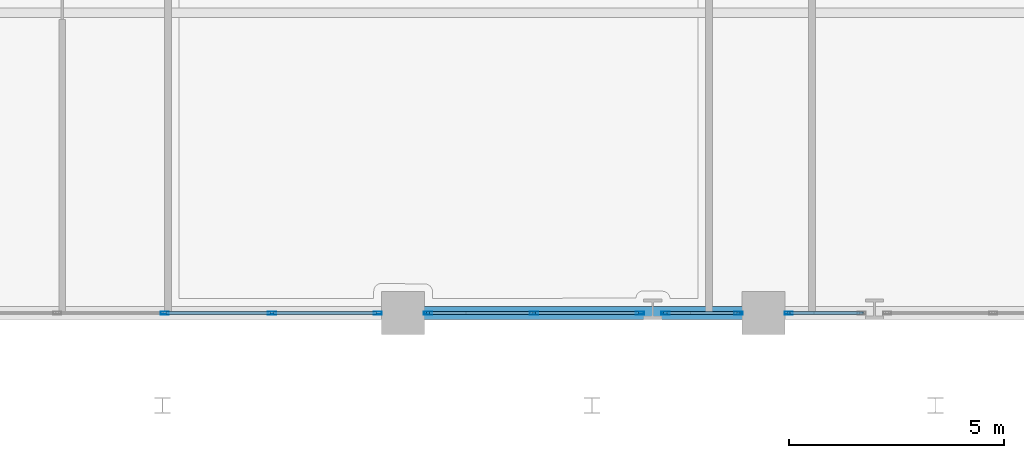
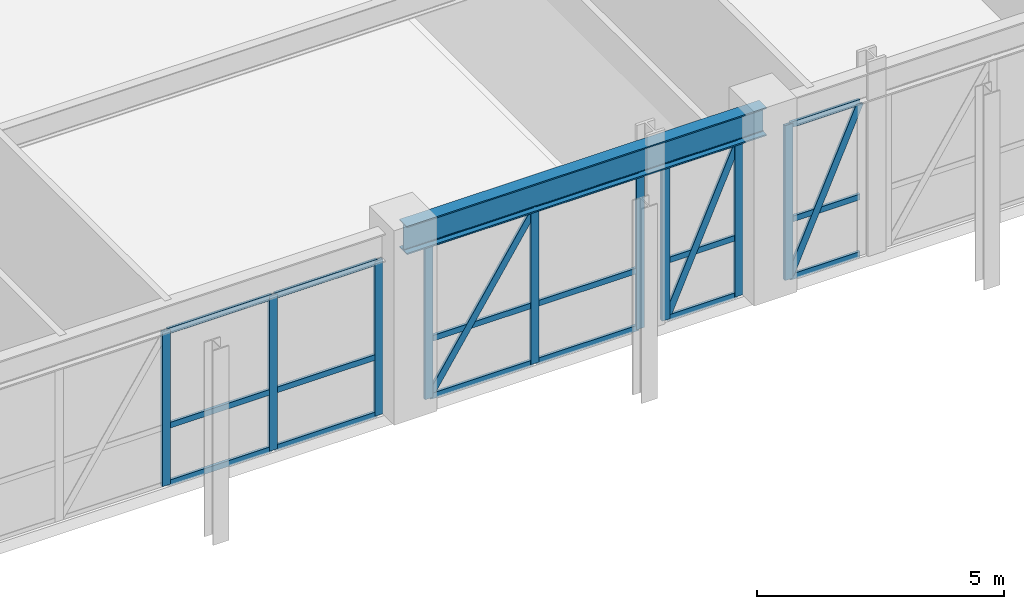
# One storey, part 7 of 48: 30 members, 1 beam, 4 elements without a shape of their own.
"""IFC4 building model written with IfcOpenShell, lengths in metres."""

from ifc_helpers import new_model, si_unit, derived_unit, direction, frame, origin, origin_2d, place, context, subcontext, project, spatial, hollow_rectangle, i_section, extrude, source, transform, mapped, material, layer, layer_set, material_profile, profile_set, type_object, element, aggregate, save


model = new_model("IFC4")

# Units and contexts
model_context = context("Model", 3, precision=1e-05, world=origin(), true_north=direction((0.0, 1.0)))
body_context = subcontext(model_context, "Body", "Model", "MODEL_VIEW")
ifc_project = project(units=[si_unit("LENGTHUNIT", "METRE"), si_unit("AREAUNIT", "SQUARE_METRE"), si_unit("VOLUMEUNIT", "CUBIC_METRE"), si_unit("PLANEANGLEUNIT", "RADIAN"), si_unit("MASSUNIT", "GRAM", prefix="KILO"), derived_unit("THERMALTRANSMITTANCEUNIT", [(si_unit("POWERUNIT", "WATT"), 1), (si_unit("LENGTHUNIT", "METRE"), -2), (si_unit("THERMODYNAMICTEMPERATUREUNIT", "KELVIN"), -1)])], contexts=[model_context])

# Site, building, storey
site_placement = place(None, origin())
site = spatial("IfcSite", under=ifc_project, at=site_placement, CompositionType="ELEMENT")
building_placement = place(site_placement, origin())
building = spatial("IfcBuilding", under=site, at=building_placement, Name="Korsvarv Bourse and Concert Hall", CompositionType="ELEMENT")
storey_placement = place(building_placement, frame((0.0, 0.0, 4.800048828125)))
storey = spatial("IfcBuildingStorey", under=building, at=storey_placement, Name="L01", CompositionType="ELEMENT", Elevation=4.800048828125)

# Beam
ifc_material_1 = material(Name="Steel S355", Category="steel")
ifc_material_profile_1 = material_profile(ifc_material_1, i_section(OverallWidth=0.300048828125, OverallDepth=0.699951171875, WebThickness=0.01708984375, FlangeThickness=0.031982421875, FilletRadius=0.027099609375, at=origin_2d()), Name="HEB 700")
ifc_profile_set_1 = profile_set([ifc_material_profile_1], Name="Steel S355")
beam_type = type_object("IfcBeamType", Name="BM-HEB700", PredefinedType="BEAM", material=ifc_profile_set_1)
shared_shape_1 = source(origin(), body_context, "Body", "SweptSolid", [
    extrude(i_section(OverallWidth=0.300048828125, OverallDepth=0.699951171875, WebThickness=0.01708984375, FlangeThickness=0.031982421875, FilletRadius=0.027099609375, at=origin_2d()), origin(), (0.0, 0.0, 1.0), 8.39990234375),
])
beam_placement = place(storey_placement, frame((27.60009765625, 3.0, 4.169921875), z_axis=(1.0, 0.0, 0.0), x_axis=(0.0, 1.0, 0.0)))
element("IfcBeam", 1, at=beam_placement, inside=storey, type_object=beam_type, Name="L01 beam B-03", PredefinedType="BEAM", context=body_context, shape_type="MappedRepresentation", body=[
    mapped(shared_shape_1, transform((0.0, 0.0, 0.0), scale=1.0)),
])

# Curtain wall, members
ifc_material_2 = material(Name="Anodised aluminium and triple low-E glazing", Category="glass")
ifc_layer = layer(ifc_material_2, 0.239990234375)
ifc_layer_set = layer_set([ifc_layer], Name="Anodised aluminium and triple low-E glazing")
curtain_wall_type = type_object("IfcCurtainWallType", Name="CW-SYS-5", PredefinedType="NOTDEFINED", material=ifc_layer_set)
curtain_wall_1_placement = place(storey_placement, origin())
curtain_wall_1 = element("IfcCurtainWall", 2, at=curtain_wall_1_placement, inside=storey, type_object=curtain_wall_type, Name="L01 CW5 curtain wall CW-L01-S2", PredefinedType="NOTDEFINED")
ifc_material_3 = material(Name="Extruded aluminium EN AW-6063 T66", Category="aluminium")
ifc_material_profile_2 = material_profile(ifc_material_3, hollow_rectangle(XDim=0.070068359375, YDim=0.18994140625, WallThickness=0.0048828125, at=origin_2d()), Name="ALU-M 70x190")
ifc_profile_set_2 = profile_set([ifc_material_profile_2], Name="Extruded aluminium EN AW-6063 T66")
member_type_1 = type_object("IfcMemberType", Name="CWM-190", PredefinedType="MULLION", material=ifc_profile_set_2)
shared_shape_2 = source(origin(), body_context, "Body", "SweptSolid", [
    extrude(hollow_rectangle(XDim=0.070068359375, YDim=0.18994140625, WallThickness=0.0048828125, at=origin_2d()), origin(), (0.0, 0.0, 1.0), 3.820068359375),
])
member_1_placement = place(storey_placement, frame((22.050048828125, 3.0, 0.0), z_axis=(0.0, 0.0, 1.0), x_axis=(0.0, 1.0, 0.0)))
member_1 = element("IfcMember", 3, at=member_1_placement, type_object=member_type_1, Name="CW5 mullion 4", PredefinedType="MULLION", context=body_context, shape_type="MappedRepresentation", body=[
    mapped(shared_shape_2, transform((0.0, 0.0, 0.0), scale=1.0)),
])
member_2_placement = place(storey_placement, frame((24.550048828125, 3.0, 0.0), z_axis=(0.0, 0.0, 1.0), x_axis=(0.0, 1.0, 0.0)))
member_2 = element("IfcMember", 4, at=member_2_placement, type_object=member_type_1, Name="CW5 mullion 5", PredefinedType="MULLION", context=body_context, shape_type="MappedRepresentation", body=[
    mapped(shared_shape_2, transform((0.0, 0.0, 0.0), scale=1.0)),
])
member_3_placement = place(storey_placement, frame((27.014892578125, 3.0, 0.0), z_axis=(0.0, 0.0, 1.0), x_axis=(0.0, 1.0, 0.0)))
member_3 = element("IfcMember", 5, at=member_3_placement, type_object=member_type_1, Name="CW5 mullion 6", PredefinedType="MULLION", context=body_context, shape_type="MappedRepresentation", body=[
    mapped(shared_shape_2, transform((0.0, 0.0, 0.0), scale=1.0)),
])

curtain_wall_2_placement = place(storey_placement, origin())
curtain_wall_2 = element("IfcCurtainWall", 6, at=curtain_wall_2_placement, inside=storey, type_object=curtain_wall_type, Name="L01 CW5 curtain wall CW-L01-S3-1", PredefinedType="NOTDEFINED")
member_4_placement = place(storey_placement, frame((28.18505859375, 3.0, 0.0), z_axis=(0.0, 0.0, 1.0), x_axis=(0.0, 1.0, 0.0)))
member_4 = element("IfcMember", 7, at=member_4_placement, type_object=member_type_1, Name="CW5 mullion 1", PredefinedType="MULLION", context=body_context, shape_type="MappedRepresentation", body=[
    mapped(shared_shape_2, transform((0.0, 0.0, 0.0), scale=1.0)),
])
member_5_placement = place(storey_placement, frame((30.653076171875, 3.0, 0.0), z_axis=(0.0, 0.0, 1.0), x_axis=(0.0, 1.0, 0.0)))
member_5 = element("IfcMember", 8, at=member_5_placement, type_object=member_type_1, Name="CW5 mullion 2", PredefinedType="MULLION", context=body_context, shape_type="MappedRepresentation", body=[
    mapped(shared_shape_2, transform((0.0, 0.0, 0.0), scale=1.0)),
])
member_6_placement = place(storey_placement, frame((33.12109375, 3.0, 0.0), z_axis=(0.0, 0.0, 1.0), x_axis=(0.0, 1.0, 0.0)))
member_6 = element("IfcMember", 9, at=member_6_placement, type_object=member_type_1, Name="CW5 mullion 3", PredefinedType="MULLION", context=body_context, shape_type="MappedRepresentation", body=[
    mapped(shared_shape_2, transform((0.0, 0.0, 0.0), scale=1.0)),
])

curtain_wall_3_placement = place(storey_placement, origin())
curtain_wall_3 = element("IfcCurtainWall", 10, at=curtain_wall_3_placement, inside=storey, type_object=curtain_wall_type, Name="L01 CW5 curtain wall CW-L01-S3-2", PredefinedType="NOTDEFINED")
member_7_placement = place(storey_placement, frame((33.715087890625, 3.0, 0.0), z_axis=(0.0, 0.0, 1.0), x_axis=(0.0, 1.0, 0.0)))
member_7 = element("IfcMember", 11, at=member_7_placement, type_object=member_type_1, Name="CW5 mullion 1", PredefinedType="MULLION", context=body_context, shape_type="MappedRepresentation", body=[
    mapped(shared_shape_2, transform((0.0, 0.0, 0.0), scale=1.0)),
])
member_8_placement = place(storey_placement, frame((35.4150390625, 3.0, 0.0), z_axis=(0.0, 0.0, 1.0), x_axis=(0.0, 1.0, 0.0)))
member_8 = element("IfcMember", 12, at=member_8_placement, type_object=member_type_1, Name="CW5 mullion 2", PredefinedType="MULLION", context=body_context, shape_type="MappedRepresentation", body=[
    mapped(shared_shape_2, transform((0.0, 0.0, 0.0), scale=1.0)),
])

# Curtain wall, member
curtain_wall_4_placement = place(storey_placement, origin())
curtain_wall_4 = element("IfcCurtainWall", 13, at=curtain_wall_4_placement, inside=storey, type_object=curtain_wall_type, Name="L01 CW5 curtain wall CW-L01-S4-1", PredefinedType="NOTDEFINED")
member_9_placement = place(storey_placement, frame((36.5849609375, 3.0, 0.0), z_axis=(0.0, 0.0, 1.0), x_axis=(0.0, 1.0, 0.0)))
member_9 = element("IfcMember", 14, at=member_9_placement, type_object=member_type_1, Name="CW5 mullion 1", PredefinedType="MULLION", context=body_context, shape_type="MappedRepresentation", body=[
    mapped(shared_shape_2, transform((0.0, 0.0, 0.0), scale=1.0)),
])

# Member
ifc_material_profile_3 = material_profile(ifc_material_3, hollow_rectangle(XDim=0.06494140625, YDim=0.139892578125, WallThickness=0.00390625, at=origin_2d()), Name="ALU-T 65x140")
ifc_profile_set_3 = profile_set([ifc_material_profile_3], Name="Extruded aluminium EN AW-6063 T66")
member_type_2 = type_object("IfcMemberType", Name="CWT-140", PredefinedType="USERDEFINED", material=ifc_profile_set_3)
shared_shape_3 = source(origin(), body_context, "Body", "SweptSolid", [
    extrude(hollow_rectangle(XDim=0.06494140625, YDim=0.139892578125, WallThickness=0.00390625, at=origin_2d()), origin(), (0.0, 0.0, 1.0), 2.429931640625),
])
member_10_placement = place(storey_placement, frame((22.0849609375, 3.0, 0.032470703125), z_axis=(1.0, 0.0, 0.0), x_axis=(0.0, 1.0, 0.0)))
member_10 = element("IfcMember", 15, at=member_10_placement, type_object=member_type_2, Name="CW5 transom 4.1", ObjectType="TRANSOM", PredefinedType="USERDEFINED", context=body_context, shape_type="MappedRepresentation", body=[
    mapped(shared_shape_3, transform((0.0, 0.0, 0.0), scale=1.0)),
])

member_11_placement = place(storey_placement, frame((22.0849609375, 3.0, 1.45166015625), z_axis=(1.0, 0.0, 0.0), x_axis=(0.0, 1.0, 0.0)))
member_11 = element("IfcMember", 16, at=member_11_placement, type_object=member_type_2, Name="CW5 transom 4.2", ObjectType="TRANSOM", PredefinedType="USERDEFINED", context=body_context, shape_type="MappedRepresentation", body=[
    mapped(shared_shape_3, transform((0.0, 0.0, 0.0), scale=1.0)),
])

member_12_placement = place(storey_placement, frame((22.0849609375, 3.0, 3.787353515625), z_axis=(1.0, 0.0, 0.0), x_axis=(0.0, 1.0, 0.0)))
member_12 = element("IfcMember", 17, at=member_12_placement, type_object=member_type_2, Name="CW5 transom 4.3", ObjectType="TRANSOM", PredefinedType="USERDEFINED", context=body_context, shape_type="MappedRepresentation", body=[
    mapped(shared_shape_3, transform((0.0, 0.0, 0.0), scale=1.0)),
])

shared_shape_4 = source(origin(), body_context, "Body", "SweptSolid", [
    extrude(hollow_rectangle(XDim=0.06494140625, YDim=0.139892578125, WallThickness=0.00390625, at=origin_2d()), origin(), (0.0, 0.0, 1.0), 2.39501953125),
])
member_13_placement = place(storey_placement, frame((24.5849609375, 3.0, 0.032470703125), z_axis=(1.0, 0.0, 0.0), x_axis=(0.0, 1.0, 0.0)))
member_13 = element("IfcMember", 18, at=member_13_placement, type_object=member_type_2, Name="CW5 transom 5.1", ObjectType="TRANSOM", PredefinedType="USERDEFINED", context=body_context, shape_type="MappedRepresentation", body=[
    mapped(shared_shape_4, transform((0.0, 0.0, 0.0), scale=1.0)),
])

member_14_placement = place(storey_placement, frame((24.5849609375, 3.0, 1.45166015625), z_axis=(1.0, 0.0, 0.0), x_axis=(0.0, 1.0, 0.0)))
member_14 = element("IfcMember", 19, at=member_14_placement, type_object=member_type_2, Name="CW5 transom 5.2", ObjectType="TRANSOM", PredefinedType="USERDEFINED", context=body_context, shape_type="MappedRepresentation", body=[
    mapped(shared_shape_4, transform((0.0, 0.0, 0.0), scale=1.0)),
])

member_15_placement = place(storey_placement, frame((24.5849609375, 3.0, 3.787353515625), z_axis=(1.0, 0.0, 0.0), x_axis=(0.0, 1.0, 0.0)))
member_15 = element("IfcMember", 20, at=member_15_placement, type_object=member_type_2, Name="CW5 transom 5.3", ObjectType="TRANSOM", PredefinedType="USERDEFINED", context=body_context, shape_type="MappedRepresentation", body=[
    mapped(shared_shape_4, transform((0.0, 0.0, 0.0), scale=1.0)),
])

aggregate(curtain_wall_1, [member_1, member_2, member_3, member_10, member_11, member_12, member_13, member_14, member_15])

shared_shape_5 = source(origin(), body_context, "Body", "SweptSolid", [
    extrude(hollow_rectangle(XDim=0.06494140625, YDim=0.139892578125, WallThickness=0.00390625, at=origin_2d()), origin(), (0.0, 0.0, 1.0), 2.398193359375),
])
member_16_placement = place(storey_placement, frame((28.219970703125, 3.0, 0.032470703125), z_axis=(1.0, 0.0, 0.0), x_axis=(0.0, 1.0, 0.0)))
member_16 = element("IfcMember", 21, at=member_16_placement, type_object=member_type_2, Name="CW5 transom 1.1", ObjectType="TRANSOM", PredefinedType="USERDEFINED", context=body_context, shape_type="MappedRepresentation", body=[
    mapped(shared_shape_5, transform((0.0, 0.0, 0.0), scale=1.0)),
])

member_17_placement = place(storey_placement, frame((28.219970703125, 3.0, 1.45166015625), z_axis=(1.0, 0.0, 0.0), x_axis=(0.0, 1.0, 0.0)))
member_17 = element("IfcMember", 22, at=member_17_placement, type_object=member_type_2, Name="CW5 transom 1.2", ObjectType="TRANSOM", PredefinedType="USERDEFINED", context=body_context, shape_type="MappedRepresentation", body=[
    mapped(shared_shape_5, transform((0.0, 0.0, 0.0), scale=1.0)),
])

member_18_placement = place(storey_placement, frame((28.219970703125, 3.0, 3.787353515625), z_axis=(1.0, 0.0, 0.0), x_axis=(0.0, 1.0, 0.0)))
member_18 = element("IfcMember", 23, at=member_18_placement, type_object=member_type_2, Name="CW5 transom 1.3", ObjectType="TRANSOM", PredefinedType="USERDEFINED", context=body_context, shape_type="MappedRepresentation", body=[
    mapped(shared_shape_5, transform((0.0, 0.0, 0.0), scale=1.0)),
])

member_19_placement = place(storey_placement, frame((30.68798828125, 3.0, 0.032470703125), z_axis=(1.0, 0.0, 0.0), x_axis=(0.0, 1.0, 0.0)))
member_19 = element("IfcMember", 24, at=member_19_placement, type_object=member_type_2, Name="CW5 transom 2.1", ObjectType="TRANSOM", PredefinedType="USERDEFINED", context=body_context, shape_type="MappedRepresentation", body=[
    mapped(shared_shape_5, transform((0.0, 0.0, 0.0), scale=1.0)),
])

member_20_placement = place(storey_placement, frame((30.68798828125, 3.0, 1.45166015625), z_axis=(1.0, 0.0, 0.0), x_axis=(0.0, 1.0, 0.0)))
member_20 = element("IfcMember", 25, at=member_20_placement, type_object=member_type_2, Name="CW5 transom 2.2", ObjectType="TRANSOM", PredefinedType="USERDEFINED", context=body_context, shape_type="MappedRepresentation", body=[
    mapped(shared_shape_5, transform((0.0, 0.0, 0.0), scale=1.0)),
])

member_21_placement = place(storey_placement, frame((30.68798828125, 3.0, 3.787353515625), z_axis=(1.0, 0.0, 0.0), x_axis=(0.0, 1.0, 0.0)))
member_21 = element("IfcMember", 26, at=member_21_placement, type_object=member_type_2, Name="CW5 transom 2.3", ObjectType="TRANSOM", PredefinedType="USERDEFINED", context=body_context, shape_type="MappedRepresentation", body=[
    mapped(shared_shape_5, transform((0.0, 0.0, 0.0), scale=1.0)),
])

ifc_material_profile_4 = material_profile(ifc_material_3, hollow_rectangle(XDim=0.06494140625, YDim=0.1650390625, WallThickness=0.0048828125, at=origin_2d()), Name="ALU-M 65x165")
ifc_profile_set_4 = profile_set([ifc_material_profile_4], Name="Extruded aluminium EN AW-6063 T66")
member_type_3 = type_object("IfcMemberType", Name="CWM-165", PredefinedType="MULLION", material=ifc_profile_set_4)
shared_shape_6 = source(origin(), body_context, "Body", "SweptSolid", [
    extrude(hollow_rectangle(XDim=0.06494140625, YDim=0.1650390625, WallThickness=0.0048828125, at=origin_2d()), origin(), (0.0, 0.0, 1.0), 4.40087890625),
])
member_22_placement = place(storey_placement, frame((28.219970703125, 3.0, 0.06494140625), z_axis=(0.544945450672, 0.0, 0.83847149969), x_axis=(0.0, 1.0, 0.0)))
member_22 = element("IfcMember", 27, at=member_22_placement, type_object=member_type_3, Name="CW5 diagonal mullion 1", PredefinedType="MULLION", context=body_context, shape_type="MappedRepresentation", body=[
    mapped(shared_shape_6, transform((0.0, 0.0, 0.0), scale=1.0)),
])

aggregate(curtain_wall_2, [member_4, member_5, member_6, member_16, member_17, member_18, member_22, member_19, member_20, member_21])

shared_shape_7 = source(origin(), body_context, "Body", "SweptSolid", [
    extrude(hollow_rectangle(XDim=0.06494140625, YDim=0.139892578125, WallThickness=0.00390625, at=origin_2d()), origin(), (0.0, 0.0, 1.0), 1.6298828125),
])
member_23_placement = place(storey_placement, frame((33.75, 3.0, 0.032470703125), z_axis=(1.0, 0.0, 0.0), x_axis=(0.0, 1.0, 0.0)))
member_23 = element("IfcMember", 28, at=member_23_placement, type_object=member_type_2, Name="CW5 transom 1.1", ObjectType="TRANSOM", PredefinedType="USERDEFINED", context=body_context, shape_type="MappedRepresentation", body=[
    mapped(shared_shape_7, transform((0.0, 0.0, 0.0), scale=1.0)),
])

member_24_placement = place(storey_placement, frame((33.75, 3.0, 1.45166015625), z_axis=(1.0, 0.0, 0.0), x_axis=(0.0, 1.0, 0.0)))
member_24 = element("IfcMember", 29, at=member_24_placement, type_object=member_type_2, Name="CW5 transom 1.2", ObjectType="TRANSOM", PredefinedType="USERDEFINED", context=body_context, shape_type="MappedRepresentation", body=[
    mapped(shared_shape_7, transform((0.0, 0.0, 0.0), scale=1.0)),
])

member_25_placement = place(storey_placement, frame((33.75, 3.0, 3.787353515625), z_axis=(1.0, 0.0, 0.0), x_axis=(0.0, 1.0, 0.0)))
member_25 = element("IfcMember", 30, at=member_25_placement, type_object=member_type_2, Name="CW5 transom 1.3", ObjectType="TRANSOM", PredefinedType="USERDEFINED", context=body_context, shape_type="MappedRepresentation", body=[
    mapped(shared_shape_7, transform((0.0, 0.0, 0.0), scale=1.0)),
])

member_26_placement = place(storey_placement, frame((36.6201171875, 3.0, 0.032470703125), z_axis=(1.0, 0.0, 0.0), x_axis=(0.0, 1.0, 0.0)))
member_26 = element("IfcMember", 31, at=member_26_placement, type_object=member_type_2, Name="CW5 transom 1.1", ObjectType="TRANSOM", PredefinedType="USERDEFINED", context=body_context, shape_type="MappedRepresentation", body=[
    mapped(shared_shape_7, transform((0.0, 0.0, 0.0), scale=1.0)),
])

member_27_placement = place(storey_placement, frame((36.6201171875, 3.0, 1.45166015625), z_axis=(1.0, 0.0, 0.0), x_axis=(0.0, 1.0, 0.0)))
member_27 = element("IfcMember", 32, at=member_27_placement, type_object=member_type_2, Name="CW5 transom 1.2", ObjectType="TRANSOM", PredefinedType="USERDEFINED", context=body_context, shape_type="MappedRepresentation", body=[
    mapped(shared_shape_7, transform((0.0, 0.0, 0.0), scale=1.0)),
])

member_28_placement = place(storey_placement, frame((36.6201171875, 3.0, 3.787353515625), z_axis=(1.0, 0.0, 0.0), x_axis=(0.0, 1.0, 0.0)))
member_28 = element("IfcMember", 33, at=member_28_placement, type_object=member_type_2, Name="CW5 transom 1.3", ObjectType="TRANSOM", PredefinedType="USERDEFINED", context=body_context, shape_type="MappedRepresentation", body=[
    mapped(shared_shape_7, transform((0.0, 0.0, 0.0), scale=1.0)),
])

shared_shape_8 = source(origin(), body_context, "Body", "SweptSolid", [
    extrude(hollow_rectangle(XDim=0.06494140625, YDim=0.1650390625, WallThickness=0.0048828125, at=origin_2d()), origin(), (0.0, 0.0, 1.0), 4.033935546875),
])
member_29_placement = place(storey_placement, frame((33.75, 3.0, 0.06494140625), z_axis=(0.404048441502, 0.0, 0.914737589104), x_axis=(0.0, 1.0, 0.0)))
member_29 = element("IfcMember", 34, at=member_29_placement, type_object=member_type_3, Name="CW5 diagonal mullion 1", PredefinedType="MULLION", context=body_context, shape_type="MappedRepresentation", body=[
    mapped(shared_shape_8, transform((0.0, 0.0, 0.0), scale=1.0)),
])

aggregate(curtain_wall_3, [member_7, member_8, member_23, member_24, member_25, member_29])

member_30_placement = place(storey_placement, frame((36.6201171875, 3.0, 0.06494140625), z_axis=(0.404048441502, 0.0, 0.914737589104), x_axis=(0.0, 1.0, 0.0)))
member_30 = element("IfcMember", 35, at=member_30_placement, type_object=member_type_3, Name="CW5 diagonal mullion 1", PredefinedType="MULLION", context=body_context, shape_type="MappedRepresentation", body=[
    mapped(shared_shape_8, transform((0.0, 0.0, 0.0), scale=1.0)),
])

aggregate(curtain_wall_4, [member_9, member_26, member_27, member_28, member_30])

save(model, "model.ifc")
